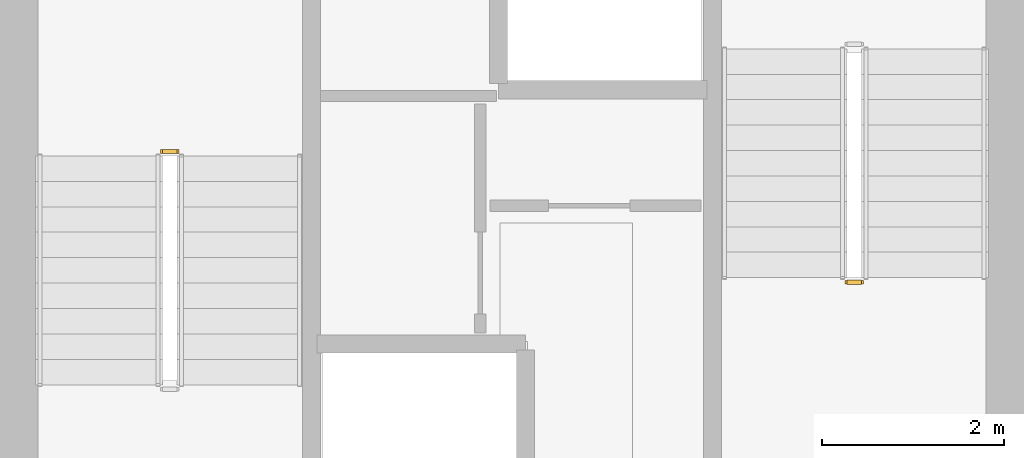
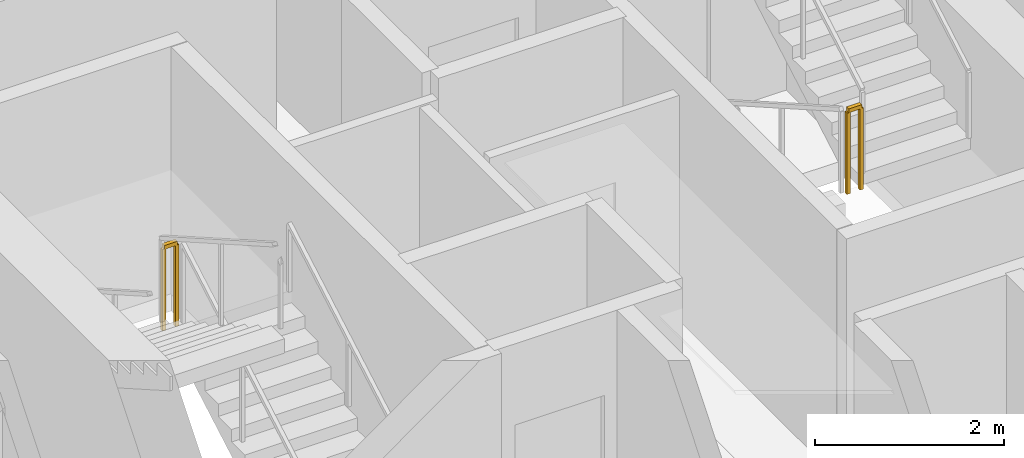
# One storey, part 13 of 15: 2 railings.
"""IFC4 building model written with IfcOpenShell, lengths in metres."""

from ifc_helpers import new_model, si_unit, direction, frame, origin, origin_2d, place, context, subcontext, project, spatial, rectangle, extrude, material, type_object, element, save


model = new_model("IFC4")

# Units and contexts
model_context = context("Model", 3, precision=1e-05, world=origin(), true_north=direction((0.0, 1.0)))
body_context = subcontext(model_context, "Body", "Model", "MODEL_VIEW")
ifc_project = project(units=[si_unit("LENGTHUNIT", "METRE"), si_unit("AREAUNIT", "SQUARE_METRE"), si_unit("VOLUMEUNIT", "CUBIC_METRE"), si_unit("PLANEANGLEUNIT", "RADIAN"), si_unit("MASSUNIT", "GRAM", prefix="KILO")], contexts=[model_context])

# Site, building, storey
site_placement = place(None, origin())
site = spatial("IfcSite", under=ifc_project, at=site_placement, CompositionType="ELEMENT")
building_placement = place(site_placement, origin())
building = spatial("IfcBuilding", under=site, at=building_placement, Name="Veldorim Arch Residences", CompositionType="ELEMENT")
storey_placement = place(building_placement, frame((0.0, 0.0, 102.8798828125)))
storey = spatial("IfcBuildingStorey", under=building, at=storey_placement, Name="L30", CompositionType="ELEMENT", Elevation=102.8798828125)

# Railings
ifc_material = material(Name="Steel S355", Category="steel")
railing_type = type_object("IfcRailingType", Name="Galvanised Steel Stair Safety Guardrail 1100", PredefinedType="GUARDRAIL", material=ifc_material)
railing_1_placement = place(storey_placement, frame((28.31005859375, 24.719970703125, 1.60009765625)))
element("IfcRailing", 1, at=railing_1_placement, inside=storey, type_object=railing_type, Name="L30 ST-1 stair guard 2", PredefinedType="GUARDRAIL", context=body_context, shape_type="SweptSolid", body=[
    extrude(rectangle(XDim=0.048095703125, YDim=0.048095703125, at=origin_2d()), frame((0.0, 0.0, 1.076171875), z_axis=(-1.0, 0.0, 0.0), x_axis=(0.0, -1.0, 0.0)), (0.0, 0.0, 1.0), 0.16015625),
    extrude(rectangle(XDim=0.0419921875, YDim=0.0419921875, at=origin_2d()), origin(), (0.0, 0.0, 1.0), 1.052001953125),
    extrude(rectangle(XDim=0.0419921875, YDim=0.0419921875, at=origin_2d()), frame((-0.16015625, 0.0, 0.0)), (0.0, 0.0, 1.0), 1.052001953125),
])
railing_2_placement = place(storey_placement, frame((35.68994140625, 23.280029296875, 1.60009765625)))
element("IfcRailing", 2, at=railing_2_placement, inside=storey, type_object=railing_type, Name="L30 ST-2 stair guard 2", PredefinedType="GUARDRAIL", context=body_context, shape_type="SweptSolid", body=[
    extrude(rectangle(XDim=0.048095703125, YDim=0.048095703125, at=origin_2d()), frame((0.0, 0.0, 1.076171875), z_axis=(1.0, 0.0, 0.0), x_axis=(0.0, 1.0, 0.0)), (0.0, 0.0, 1.0), 0.16015625),
    extrude(rectangle(XDim=0.0419921875, YDim=0.0419921875, at=origin_2d()), origin(), (0.0, 0.0, 1.0), 1.052001953125),
    extrude(rectangle(XDim=0.0419921875, YDim=0.0419921875, at=origin_2d()), frame((0.16015625, 0.0, 0.0)), (0.0, 0.0, 1.0), 1.052001953125),
])

save(model, "model.ifc")
